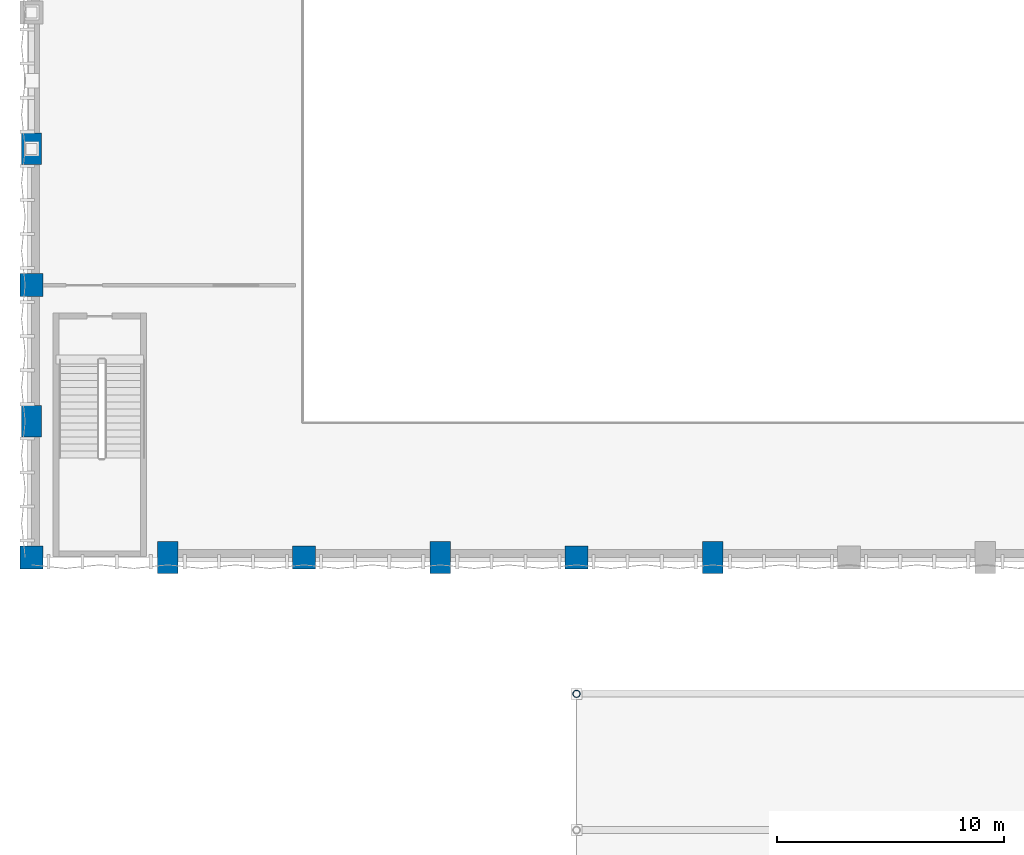
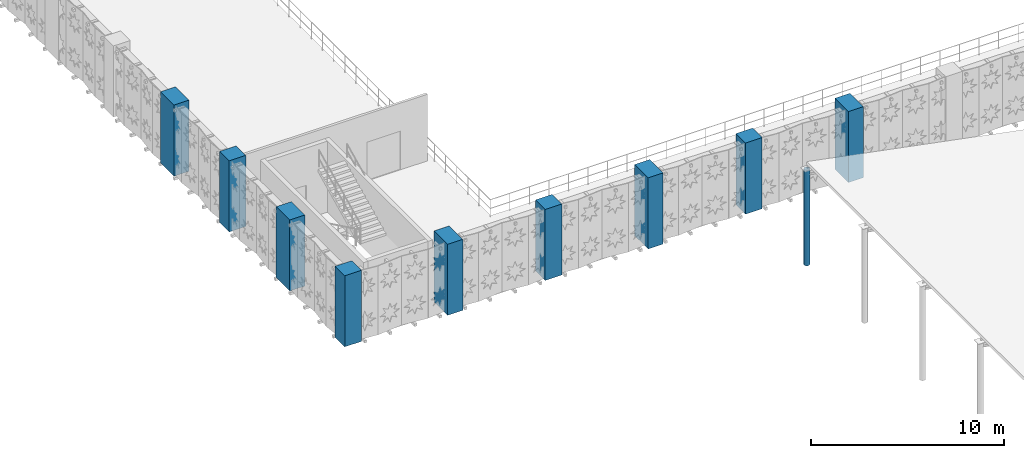
# One storey, part 2 of 133: 10 columns.
"""IFC4 building model written with IfcOpenShell, lengths in metres."""

import ifcopenshell
import ifcopenshell.guid

model = None  # the IFC model being written
_history = None  # IfcOwnerHistory: only IFC2X3 demands one
_inside = {}  # id of a spatial element -> (the spatial element, [elements in it])
_under = {}  # id of a project, library or spatial element -> (it, [spatial elements below it])
_declared = {}  # id of a project -> (the project, [libraries it declares])
_typed = {}  # id of a type object -> (the type object, [elements of that type])
_made_of = {}  # id of a material, layer set ... -> (it, [elements and type objects made of it])


def new_model(schema):
    """Start an empty IFC model of exactly this schema.

    Asked for "IFC4X3", IfcOpenShell would pick the latest addendum, in which some entities
    have other attributes; the version numbers below select the first issue.
    IFC2X3 requires an IfcOwnerHistory on every rooted entity: one is made here for all.
    """
    global model, _history
    if schema == "IFC4X3":
        model = ifcopenshell.file(schema_version=(4, 3, 0, 0))
    else:
        model = ifcopenshell.file(schema=schema)
    _inside.clear()
    _under.clear()
    _declared.clear()
    _typed.clear()
    _made_of.clear()
    _history = None
    if model.schema == "IFC2X3":
        org = make("IfcOrganization", Name="unknown")
        user = make(
            "IfcPersonAndOrganization",
            ThePerson=make("IfcPerson", FamilyName="unknown"),
            TheOrganization=org,
        )
        app = make(
            "IfcApplication",
            ApplicationDeveloper=org,
            Version="unknown",
            ApplicationFullName="unknown",
            ApplicationIdentifier="unknown",
        )
        _history = make(
            "IfcOwnerHistory",
            OwningUser=user,
            OwningApplication=app,
            ChangeAction="ADDED",
            CreationDate=0,
        )
    return model


def make(cls, **values):
    """One entity of the class cls with the attributes given. An attribute that is None is left unset."""
    return model.create_entity(
        cls, **{name: value for name, value in values.items() if value is not None}
    )


def rooted(cls, **values):
    """An entity with a GlobalId (a new one), such as an element, a storey or a relation."""
    return make(cls, GlobalId=ifcopenshell.guid.new(), OwnerHistory=_history, **values)


def si_unit(unit_type, name, prefix=None):
    """IfcSIUnit, for example si_unit("LENGTHUNIT", "METRE", prefix="MILLI")."""
    return make("IfcSIUnit", UnitType=unit_type, Prefix=prefix, Name=name)


def assignment(units):
    """IfcUnitAssignment: the units of a project."""
    return None if units is None else make("IfcUnitAssignment", Units=units)


def point(xyz):
    """IfcCartesianPoint."""
    return None if xyz is None else make("IfcCartesianPoint", Coordinates=xyz)


def direction(xyz):
    """IfcDirection."""
    return None if xyz is None else make("IfcDirection", DirectionRatios=xyz)


def frame(location, z_axis=None, x_axis=None):
    """IfcAxis2Placement3D, a coordinate frame: its origin and axes. An axis left out is left unset."""
    return make(
        "IfcAxis2Placement3D",
        Location=point(location),
        Axis=direction(z_axis),
        RefDirection=direction(x_axis),
    )


def frame_2d(location, x_axis=None):
    """IfcAxis2Placement2D, a coordinate frame in the plane: its origin and x axis."""
    return make(
        "IfcAxis2Placement2D", Location=point(location), RefDirection=direction(x_axis)
    )


def origin():
    """The frame at (0, 0, 0) with its axes left unset."""
    return frame((0.0, 0.0, 0.0))


def origin_2d():
    """The frame at (0, 0) in the plane with its x axis left unset."""
    return frame_2d((0.0, 0.0))


def place(relative_to, where):
    """IfcLocalPlacement: puts the frame where relative to a parent placement (None: the world)."""
    return make(
        "IfcLocalPlacement", PlacementRelTo=relative_to, RelativePlacement=where
    )


def context(
    kind, dimensions, precision=None, world=None, true_north=None, identifier=None
):
    """IfcGeometricRepresentationContext, for example the 3D "Model" context."""
    return make(
        "IfcGeometricRepresentationContext",
        ContextIdentifier=identifier,
        ContextType=kind,
        CoordinateSpaceDimension=dimensions,
        Precision=precision,
        WorldCoordinateSystem=world,
        TrueNorth=true_north,
    )


def subcontext(parent, identifier, kind, view, scale=None):
    """IfcGeometricRepresentationSubContext, for example "Body" below "Model"."""
    return make(
        "IfcGeometricRepresentationSubContext",
        ContextIdentifier=identifier,
        ContextType=kind,
        ParentContext=parent,
        TargetScale=scale,
        TargetView=view,
    )


def project(units=None, contexts=None):
    """IfcProject with its units and contexts."""
    return rooted(
        "IfcProject",
        Name="project",
        RepresentationContexts=contexts,
        UnitsInContext=assignment(units),
    )


def spatial(cls, under=None, at=None, **own):
    """A site, building, storey or space (cls), placed at a placement, below another one or the project."""
    s = rooted(cls, ObjectPlacement=at, **own)
    if under is not None:
        _under.setdefault(under.id(), (under, []))[1].append(s)
    return s


def profile(cls, at=None, kind="AREA", **sizes):
    """A parametric profile (cls). Its sizes go by their IFC names, for example OverallWidth=200.0."""
    return make(cls, ProfileType=kind, Position=at, **sizes)


def rectangle(**sizes):
    """IfcRectangleProfileDef."""
    return profile("IfcRectangleProfileDef", **sizes)


def hollow_circle(**sizes):
    """IfcCircleHollowProfileDef."""
    return profile("IfcCircleHollowProfileDef", **sizes)


def extrude(swept, where, along, depth):
    """IfcExtrudedAreaSolid: the profile swept, set in the frame where, extruded along a direction by depth."""
    return make(
        "IfcExtrudedAreaSolid",
        SweptArea=swept,
        Position=where,
        ExtrudedDirection=direction(along),
        Depth=depth,
    )


def shape(context_of_items, identifier, shape_type, items):
    """IfcShapeRepresentation: the items that make up one representation, for example the "Body"."""
    return make(
        "IfcShapeRepresentation",
        ContextOfItems=context_of_items,
        RepresentationIdentifier=identifier,
        RepresentationType=shape_type,
        Items=items,
    )


def material(Name=None, Category=None):
    """IfcMaterial."""
    return make("IfcMaterial", Name=Name, Category=Category)


def material_profile(
    of_material, cross_section, Name=None, Category=None, Priority=None
):
    """IfcMaterialProfile: a cross section and its material."""
    return make(
        "IfcMaterialProfile",
        Name=Name,
        Material=of_material,
        Profile=cross_section,
        Priority=Priority,
        Category=Category,
    )


def profile_set(profiles, Name=None, composite=None):
    """IfcMaterialProfileSet."""
    return make(
        "IfcMaterialProfileSet",
        Name=Name,
        MaterialProfiles=profiles,
        CompositeProfile=composite,
    )


def made_of(thing, what):
    """Note that an element or type object is made of a material, layer set ...; save() writes the relation."""
    if what is not None:
        _made_of.setdefault(what.id(), (what, []))[1].append(thing)
    return thing


def type_object(cls, material=None, **own):
    """A type object (cls), such as IfcWallType, which elements share."""
    return made_of(rooted(cls, **own), material)


def element(
    cls,
    number,
    at=None,
    inside=None,
    cuts=None,
    type_object=None,
    material=None,
    context=None,
    identifier="Body",
    shape_type=None,
    held_by="IfcProductDefinitionShape",
    body=None,
    shapes=None,
    **own,
):
    """One element of the class cls, such as IfcWall. Its Tag is "e" and its number.

    at: its placement. inside: the storey or other place that contains it. cuts: it is an
    opening in that element (IfcRelVoidsElement). A single representation is given by context,
    identifier, shape_type and body (its items); several are given by shapes. held_by: the class
    of the entity that holds the representations. save() writes the other relations.
    """
    e = rooted(cls, Tag="e%d" % number, ObjectPlacement=at, **own)
    if body is not None:
        shapes = [shape(context, identifier, shape_type, body)]
    if shapes is not None:
        e.Representation = make(held_by, Representations=shapes)
    if inside is not None:
        _inside.setdefault(inside.id(), (inside, []))[1].append(e)
    if cuts is not None:
        rooted(
            "IfcRelVoidsElement", RelatingBuildingElement=cuts, RelatedOpeningElement=e
        )
    if type_object is not None:
        _typed.setdefault(type_object.id(), (type_object, []))[1].append(e)
    return made_of(e, material)


def aggregate(whole, parts):
    """IfcRelAggregates: a whole, such as a stair, and the parts it consists of."""
    return rooted("IfcRelAggregates", RelatingObject=whole, RelatedObjects=parts)


def save(model, path):
    """Write the relations noted so far, then the file.

    IfcRelAggregates (storeys below a building ...), IfcRelContainedInSpatialStructure (elements
    in a storey), IfcRelDefinesByType, IfcRelAssociatesMaterial and IfcRelDeclares: one each for
    every whole, place, type object, material and project.
    """
    for whole, parts in _under.values():
        aggregate(whole, parts)
    for where, things in _inside.values():
        rooted(
            "IfcRelContainedInSpatialStructure",
            RelatedElements=things,
            RelatingStructure=where,
        )
    for kind, things in _typed.values():
        rooted("IfcRelDefinesByType", RelatedObjects=things, RelatingType=kind)
    for what, things in _made_of.values():
        rooted("IfcRelAssociatesMaterial", RelatedObjects=things, RelatingMaterial=what)
    for by, libraries in _declared.values():
        rooted("IfcRelDeclares", RelatingContext=by, RelatedDefinitions=libraries)
    model.write(path)


model = new_model("IFC4")

# Units and contexts
model_context = context("Model", 3, precision=1e-05, world=origin(), true_north=direction((0.0, 1.0)))
body_context = subcontext(model_context, "Body", "Model", "MODEL_VIEW")
ifc_project = project(units=[si_unit("LENGTHUNIT", "METRE"), si_unit("AREAUNIT", "SQUARE_METRE"), si_unit("VOLUMEUNIT", "CUBIC_METRE"), si_unit("PLANEANGLEUNIT", "RADIAN"), si_unit("MASSUNIT", "GRAM", prefix="KILO"), si_unit("THERMODYNAMICTEMPERATUREUNIT", "KELVIN"), si_unit("POWERUNIT", "WATT")], contexts=[model_context])

# Site, building, storey
site_placement = place(None, origin())
site = spatial("IfcSite", under=ifc_project, at=site_placement, CompositionType="ELEMENT")
building_placement = place(site_placement, origin())
building = spatial("IfcBuilding", under=site, at=building_placement, Name="Phaisarnlok Congress Hotel", CompositionType="ELEMENT")
storey_placement = place(building_placement, frame((0.0, 0.0, 6.0)))
storey = spatial("IfcBuildingStorey", under=building, at=storey_placement, Name="L01", CompositionType="ELEMENT", Elevation=6.0)

# Columns
ifc_material_1 = material(Name="Concrete C50/60", Category="concrete")
ifc_material_profile_1 = material_profile(ifc_material_1, rectangle(XDim=1.0, YDim=1.0, at=origin_2d()), Name="RC 1000x1000")
ifc_profile_set_1 = profile_set([ifc_material_profile_1], Name="Concrete C50/60")
column_type_1 = type_object("IfcColumnType", Name="COL-RC-1000", PredefinedType="COLUMN", material=ifc_profile_set_1)
for number, where, z_axis, x_axis, name in (
    (1, (12.0, 42.0, 0.0), (0.0, 0.0, 1.0), (1.0, 0.0, 0.0), "Column C-09 (L01)"),
    (2, (24.0, 42.0, 0.0), (0.0, 0.0, 1.0), (1.0, 0.0, 0.0), "Column C-09 (L01)"),
):
    element("IfcColumn", number, at=place(storey_placement, frame(where, z_axis=z_axis, x_axis=x_axis)), inside=storey, type_object=column_type_1, Name=name, PredefinedType="COLUMN", context=body_context, shape_type="SweptSolid", body=[
        extrude(rectangle(XDim=1.0, YDim=1.0, at=origin_2d()), origin(), (0.0, 0.0, 1.0), 4.5),
    ])
ifc_material_profile_2 = material_profile(ifc_material_1, rectangle(XDim=1.0, YDim=1.0, at=origin_2d()), Name="RC 1000x1000")
ifc_profile_set_2 = profile_set([ifc_material_profile_2], Name="Concrete C50/60")
column_type_2 = type_object("IfcColumnType", Name="COL-RC-1000-EXT", PredefinedType="COLUMN", material=ifc_profile_set_2)
for number, where, z_axis, x_axis, name in (
    (3, (0.0, 42.0, 0.0), (0.0, 0.0, 1.0), (1.0, 0.0, 0.0), "Column C-09E (L01)"),
    (4, (0.0, 54.0, 0.0), (0.0, 0.0, 1.0), (1.0, 0.0, 0.0), "Column C-09E (L01)"),
):
    element("IfcColumn", number, at=place(storey_placement, frame(where, z_axis=z_axis, x_axis=x_axis)), inside=storey, type_object=column_type_2, Name=name, PredefinedType="COLUMN", context=body_context, shape_type="SweptSolid", body=[
        extrude(rectangle(XDim=1.0, YDim=1.0, at=origin_2d()), origin(), (0.0, 0.0, 1.0), 4.5),
    ])
ifc_material_profile_3 = material_profile(ifc_material_1, rectangle(XDim=0.89990234375, YDim=1.39990234375, at=origin_2d()), Name="RC 900x1400")
ifc_profile_set_3 = profile_set([ifc_material_profile_3], Name="Concrete C50/60")
column_type_3 = type_object("IfcColumnType", Name="COL-RC-900x1400", PredefinedType="COLUMN", material=ifc_profile_set_3)
for number, where, z_axis, x_axis, name in (
    (5, (6.0, 42.0, 0.0), (0.0, 0.0, 1.0), (1.0, 0.0, 0.0), "Column C-12 (L01)"),
    (6, (18.0, 42.0, 0.0), (0.0, 0.0, 1.0), (1.0, 0.0, 0.0), "Column C-12 (L01)"),
    (7, (30.0, 42.0, 0.0), (0.0, 0.0, 1.0), (1.0, 0.0, 0.0), "Column C-12 (L01)"),
):
    element("IfcColumn", number, at=place(storey_placement, frame(where, z_axis=z_axis, x_axis=x_axis)), inside=storey, type_object=column_type_3, Name=name, PredefinedType="COLUMN", context=body_context, shape_type="SweptSolid", body=[
        extrude(rectangle(XDim=0.89990234375, YDim=1.39990234375, at=origin_2d()), origin(), (0.0, 0.0, 1.0), 4.5),
    ])
ifc_material_profile_4 = material_profile(ifc_material_1, rectangle(XDim=0.89990234375, YDim=1.39990234375, at=origin_2d()), Name="RC 900x1400")
ifc_profile_set_4 = profile_set([ifc_material_profile_4], Name="Concrete C50/60")
column_type_4 = type_object("IfcColumnType", Name="COL-RC-900x1400-EXT", PredefinedType="COLUMN", material=ifc_profile_set_4)
for number, where, z_axis, x_axis, name in (
    (8, (0.0, 48.0, 0.0), (0.0, 0.0, 1.0), (1.0, 0.0, 0.0), "Column C-12E (L01)"),
    (9, (0.0, 60.0, 0.0), (0.0, 0.0, 1.0), (1.0, 0.0, 0.0), "Column C-12E (L01)"),
):
    element("IfcColumn", number, at=place(storey_placement, frame(where, z_axis=z_axis, x_axis=x_axis)), inside=storey, type_object=column_type_4, Name=name, PredefinedType="COLUMN", context=body_context, shape_type="SweptSolid", body=[
        extrude(rectangle(XDim=0.89990234375, YDim=1.39990234375, at=origin_2d()), origin(), (0.0, 0.0, 1.0), 4.5),
    ])
ifc_material_2 = material(Name="Steel S355", Category="steel")
ifc_material_profile_5 = material_profile(ifc_material_2, hollow_circle(Radius=0.161865234375, WallThickness=0.01611328125, at=origin_2d()), Name="CHS 323.9x16")
ifc_profile_set_5 = profile_set([ifc_material_profile_5], Name="Steel S355")
column_type_5 = type_object("IfcColumnType", Name="COL-STL-CHS324-EXT", PredefinedType="COLUMN", material=ifc_profile_set_5)
column_placement = place(storey_placement, frame((24.0, 36.0, 0.0), z_axis=(0.0, 0.0, 1.0), x_axis=(1.0, 0.0, 0.0)))
element("IfcColumn", 10, at=column_placement, inside=storey, type_object=column_type_5, Name="MRT canopy steel column SC-01E", PredefinedType="COLUMN", context=body_context, shape_type="SweptSolid", body=[
    extrude(hollow_circle(Radius=0.161865234375, WallThickness=0.01611328125, at=origin_2d()), origin(), (0.0, 0.0, 1.0), 6.051513671875),
])

save(model, "model.ifc")
